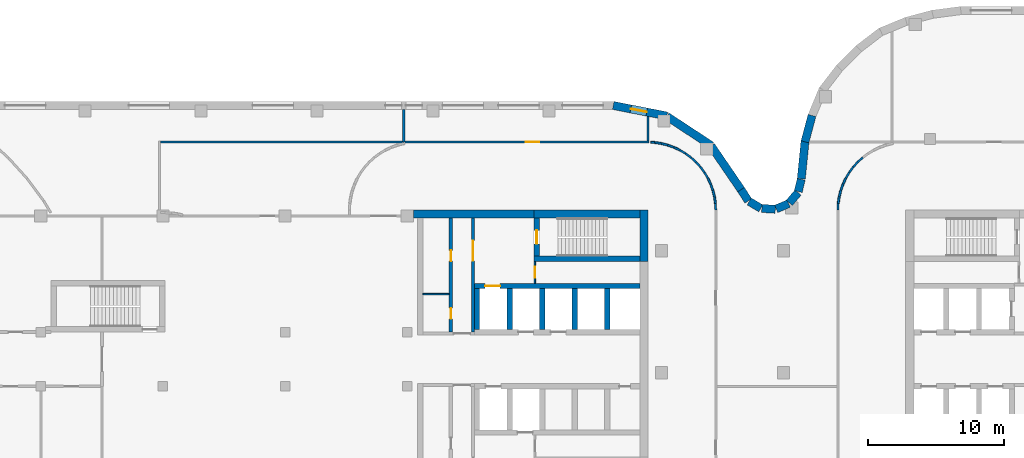
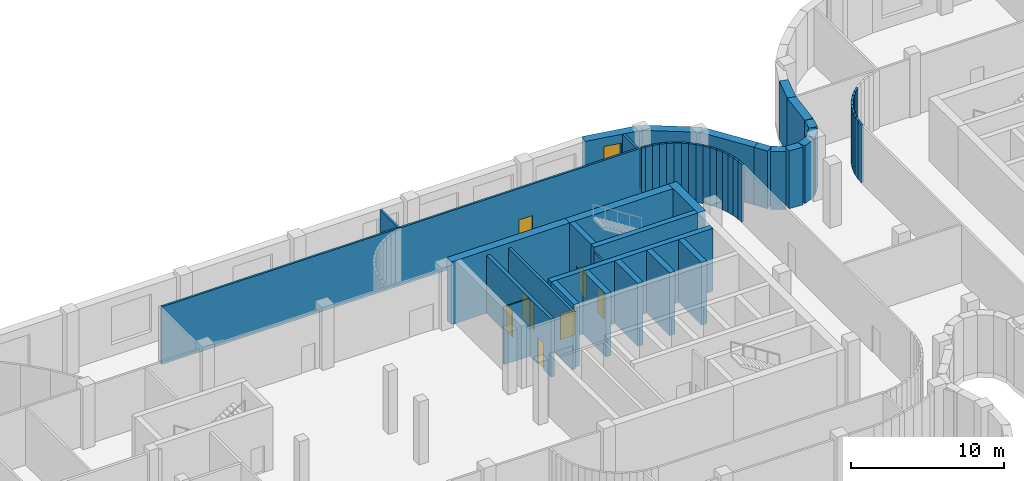
# One storey, part 17 of 24: 54 walls, 7 doors, 1 window, 8 openings.
"""IFC4 building model written with IfcOpenShell, lengths in metres."""

from ifc_helpers import new_model, si_unit, direction, frame, frame_2d, origin, place, context, subcontext, project, spatial, rectangle, extrude, material, layer, layer_set, type_object, element, fill, save


model = new_model("IFC4")

# Units and contexts
model_context = context("Model", 3, precision=1e-05, world=origin(), true_north=direction((0.0, 1.0)))
body_context = subcontext(model_context, "Body", "Model", "MODEL_VIEW")
ifc_project = project(units=[si_unit("LENGTHUNIT", "METRE"), si_unit("AREAUNIT", "SQUARE_METRE"), si_unit("VOLUMEUNIT", "CUBIC_METRE"), si_unit("PLANEANGLEUNIT", "RADIAN"), si_unit("MASSUNIT", "GRAM", prefix="KILO")], contexts=[model_context])

# Site, building, storey
site_placement = place(None, origin())
site = spatial("IfcSite", under=ifc_project, at=site_placement, CompositionType="ELEMENT")
building_placement = place(site_placement, origin())
building = spatial("IfcBuilding", under=site, at=building_placement, Name="Skarvind Civic Tower", CompositionType="ELEMENT")
storey_placement = place(building_placement, frame((0.0, 0.0, 12.5)))
storey = spatial("IfcBuildingStorey", under=building, at=storey_placement, Name="L02", CompositionType="ELEMENT", Elevation=12.5)

# Wall, opening, door
ifc_material_1 = material(Name="Fire-rated masonry partition", Category="masonry")
ifc_layer_1 = layer(ifc_material_1, 0.199951171875)
ifc_layer_set_1 = layer_set([ifc_layer_1], Name="Core enclosure wall 200")
wall_type_1 = type_object("IfcWallType", Name="Core enclosure wall 200", PredefinedType="PARTITIONING", material=ifc_layer_set_1)
wall_1_placement = place(storey_placement, frame((95.10009765625, 130.0, 0.0), z_axis=(0.0, 0.0, 1.0), x_axis=(0.0, 1.0, 0.0)))
wall_1 = element("IfcWall", 1, at=wall_1_placement, inside=storey, type_object=wall_type_1, Name="Core wall C1", PredefinedType="PARTITIONING", context=body_context, shape_type="SweptSolid", body=[
    extrude(rectangle(XDim=8.39990234375, YDim=0.199951171875, at=frame_2d((4.199951171875, 0.0))), origin(), (0.0, 0.0, 1.0), 4.60009765625),
])
opening_1_placement = place(wall_1_placement, frame((5.25, 0.0, 0.0)))
opening_1 = element("IfcOpeningElement", 2, at=opening_1_placement, cuts=wall_1, Name="Opening D-L02-C1-11", PredefinedType="OPENING", context=body_context, shape_type="SweptSolid", body=[
    extrude(rectangle(XDim=1.5, YDim=2.10009765625, at=frame_2d((0.75, 1.050048828125))), frame((0.0, 0.10986328125, 0.0), z_axis=(0.0, -1.0, 0.0), x_axis=(1.0, 0.0, 0.0)), (0.0, 0.0, 1.0), 0.219970703125),
])
ifc_material_2 = material(Name="Fire-rated steel door", Category="steel")
door_type_1 = type_object("IfcDoorType", Name="Fire door 1500", OperationType="NOTDEFINED", PredefinedType="DOOR", material=ifc_material_2)
door_1_placement = place(opening_1_placement, origin())
door_1 = element("IfcDoor", 3, at=door_1_placement, inside=storey, type_object=door_type_1, Name="Fire door", OperationType="DOUBLE_DOOR_SINGLE_SWING", OverallHeight=2.10009765625, OverallWidth=1.5, PredefinedType="DOOR", context=body_context, shape_type="SweptSolid", body=[
    extrude(rectangle(XDim=1.5, YDim=2.10009765625, at=frame_2d((0.75, 1.050048828125))), frame((0.0, 0.02490234375, 0.0), z_axis=(0.0, -1.0, 0.0), x_axis=(1.0, 0.0, 0.0)), (0.0, 0.0, 1.0), 0.050048828125),
])
fill(opening_1, door_1)

# Walls
ifc_material_3 = material(Name="Fire-rated plasterboard partition")
ifc_layer_2 = layer(ifc_material_3, 0.10009765625)
ifc_layer_set_2 = layer_set([ifc_layer_2], Name="Core partition wall 100")
wall_type_2 = type_object("IfcWallType", Name="Core partition wall 100", PredefinedType="PARTITIONING", material=ifc_layer_set_2)
wall_2_placement = place(storey_placement, frame((91.39990234375, 132.800048828125, 0.0), z_axis=(0.0, 0.0, 1.0), x_axis=(1.0, 0.0, 0.0)))
element("IfcWall", 4, at=wall_2_placement, inside=storey, type_object=wall_type_2, Name="Core wall C1", PredefinedType="PARTITIONING", context=body_context, shape_type="SweptSolid", body=[
    extrude(rectangle(XDim=1.9501953125, YDim=0.10009765625, at=frame_2d((0.97509765625, 0.0))), origin(), (0.0, 0.0, 1.0), 4.60009765625),
])
ifc_material_4 = material(Name="Concrete C80", Category="concrete")
ifc_layer_3 = layer(ifc_material_4, 0.39990234375)
ifc_layer_set_3 = layer_set([ifc_layer_3], Name="Core wall 400 C80")
wall_type_3 = type_object("IfcWallType", Name="Core wall 400 C80", PredefinedType="SHEAR", material=ifc_layer_set_3)
wall_3_placement = place(storey_placement, frame((107.39990234375, 135.39990234375, 0.0), z_axis=(0.0, 0.0, 1.0), x_axis=(-1.0, 0.0, 0.0)))
element("IfcWall", 5, at=wall_3_placement, inside=storey, type_object=wall_type_3, Name="Core wall C1 south stair inner L02", PredefinedType="SHEAR", context=body_context, shape_type="SweptSolid", body=[
    extrude(rectangle(XDim=7.7998046875, YDim=0.39990234375, at=frame_2d((3.89990234375, 0.0))), origin(), (0.0, 0.0, 1.0), 5.0),
])

# Wall, opening, door
wall_4_placement = place(storey_placement, frame((99.800048828125, 138.39990234375, 0.0), z_axis=(0.0, 0.0, 1.0), x_axis=(0.0, -1.0, 0.0)))
wall_4 = element("IfcWall", 6, at=wall_4_placement, inside=storey, type_object=wall_type_3, Name="Core wall C1 south stair end L02", PredefinedType="SHEAR", context=body_context, shape_type="SweptSolid", body=[
    extrude(rectangle(XDim=2.7998046875, YDim=0.39990234375, at=frame_2d((1.39990234375, 0.0))), origin(), (0.0, 0.0, 1.0), 5.0),
])
opening_2_placement = place(wall_4_placement, frame((0.89990234375, 0.0, 0.0)))
opening_2 = element("IfcOpeningElement", 7, at=opening_2_placement, cuts=wall_4, Name="Opening D-L02-C1-12", PredefinedType="OPENING", context=body_context, shape_type="SweptSolid", body=[
    extrude(rectangle(XDim=1.0, YDim=2.10009765625, at=frame_2d((0.5, 1.050048828125))), frame((0.0, 0.2099609375, 0.0), z_axis=(0.0, -1.0, 0.0), x_axis=(1.0, 0.0, 0.0)), (0.0, 0.0, 1.0), 0.419921875),
])
door_type_2 = type_object("IfcDoorType", Name="Fire door 1000", OperationType="NOTDEFINED", PredefinedType="DOOR", material=ifc_material_2)
door_2_placement = place(opening_2_placement, origin())
door_2 = element("IfcDoor", 8, at=door_2_placement, inside=storey, type_object=door_type_2, Name="Fire door", OperationType="SINGLE_SWING_RIGHT", OverallHeight=2.10009765625, OverallWidth=1.0, PredefinedType="DOOR", context=body_context, shape_type="SweptSolid", body=[
    extrude(rectangle(XDim=1.0, YDim=2.10009765625, at=frame_2d((0.5, 1.050048828125))), frame((0.0, 0.02490234375, 0.0), z_axis=(0.0, -1.0, 0.0), x_axis=(1.0, 0.0, 0.0)), (0.0, 0.0, 1.0), 0.050048828125),
])
fill(opening_2, door_2)

wall_5_placement = place(storey_placement, frame((107.39990234375, 133.39990234375, 0.0), z_axis=(0.0, 0.0, 1.0), x_axis=(-1.0, 0.0, 0.0)))
wall_5 = element("IfcWall", 9, at=wall_5_placement, inside=storey, type_object=wall_type_3, Name="Core wall C1 south lift row back L02", PredefinedType="SHEAR", context=body_context, shape_type="SweptSolid", body=[
    extrude(rectangle(XDim=12.199951171875, YDim=0.39990234375, at=frame_2d((6.10009765625, 0.0))), origin(), (0.0, 0.0, 1.0), 5.0),
])
opening_3_placement = place(wall_5_placement, frame((10.300048828125, 0.0, 0.0)))
opening_3 = element("IfcOpeningElement", 10, at=opening_3_placement, cuts=wall_5, Name="Opening LD04110", PredefinedType="OPENING", context=body_context, shape_type="SweptSolid", body=[
    extrude(rectangle(XDim=1.10009765625, YDim=2.10009765625, at=frame_2d((0.550048828125, 1.050048828125))), frame((0.0, 0.2099609375, 0.0), z_axis=(0.0, -1.0, 0.0), x_axis=(1.0, 0.0, 0.0)), (0.0, 0.0, 1.0), 0.419921875),
])
ifc_material_5 = material(Name="Stainless steel landing door", Category="steel")
door_type_3 = type_object("IfcDoorType", Name="Lift landing door 1100", OperationType="DOUBLE_DOOR_SLIDING", PredefinedType="DOOR", material=ifc_material_5)
door_3_placement = place(opening_3_placement, origin())
door_3 = element("IfcDoor", 11, at=door_3_placement, inside=storey, type_object=door_type_3, Name="Lift landing door", OperationType="DOUBLE_DOOR_SLIDING", OverallHeight=2.10009765625, OverallWidth=1.10009765625, PredefinedType="DOOR", context=body_context, shape_type="SweptSolid", body=[
    extrude(rectangle(XDim=1.10009765625, YDim=2.10009765625, at=frame_2d((0.550048828125, 1.050048828125))), frame((0.0, 0.02490234375, 0.0), z_axis=(0.0, -1.0, 0.0), x_axis=(1.0, 0.0, 0.0)), (0.0, 0.0, 1.0), 0.050048828125),
])
fill(opening_3, door_3)

# Walls
for number, where, z_axis, x_axis, name in (
    (12, (105.0, 133.199951171875, 0.0), (0.0, 0.0, 1.0), (0.0, -1.0, 0.0), "Core wall C1 south lift row division 1 L02"),
    (13, (102.60009765625, 133.199951171875, 0.0), (0.0, 0.0, 1.0), (0.0, -1.0, 0.0), "Core wall C1 south lift row division 2 L02"),
    (14, (100.199951171875, 133.199951171875, 0.0), (0.0, 0.0, 1.0), (0.0, -1.0, 0.0), "Core wall C1 south lift row division 3 L02"),
    (15, (97.800048828125, 133.199951171875, 0.0), (0.0, 0.0, 1.0), (0.0, -1.0, 0.0), "Core wall C1 south lift row division 4 L02"),
    (16, (95.39990234375, 133.199951171875, 0.0), (0.0, 0.0, 1.0), (0.0, -1.0, 0.0), "Core wall C1 south lift row division 5 L02"),
):
    element("IfcWall", number, at=place(storey_placement, frame(where, z_axis=z_axis, x_axis=x_axis)), inside=storey, type_object=wall_type_3, Name=name, PredefinedType="SHEAR", context=body_context, shape_type="SweptSolid", body=[
        extrude(rectangle(XDim=3.0, YDim=0.39990234375, at=frame_2d((1.5, 0.0))), origin(), (0.0, 0.0, 1.0), 5.0),
    ])
ifc_layer_4 = layer(ifc_material_4, 0.60009765625)
ifc_layer_set_4 = layer_set([ifc_layer_4], Name="Core wall 600 C80")
wall_type_4 = type_object("IfcWallType", Name="Core wall 600 C80", PredefinedType="SHEAR", material=ifc_layer_set_4)
wall_6_placement = place(storey_placement, frame((107.699951171875, 139.0, 0.0), z_axis=(0.0, 0.0, 1.0), x_axis=(0.0, -1.0, 0.0)))
element("IfcWall", 17, at=wall_6_placement, inside=storey, type_object=wall_type_4, Name="Core wall C1 tip at the south stair L02", PredefinedType="SHEAR", context=body_context, shape_type="SweptSolid", body=[
    extrude(rectangle(XDim=3.800048828125, YDim=0.60009765625, at=frame_2d((1.89990234375, 0.0))), origin(), (0.0, 0.0, 1.0), 5.0),
])
wall_7_placement = place(storey_placement, frame((107.39990234375, 138.699951171875, 0.0), z_axis=(0.0, 0.0, 1.0), x_axis=(-1.0, 0.0, 0.0)))
element("IfcWall", 18, at=wall_7_placement, inside=storey, type_object=wall_type_4, Name="Core wall C1 south side at the stair L02", PredefinedType="SHEAR", context=body_context, shape_type="SweptSolid", body=[
    extrude(rectangle(XDim=7.7998046875, YDim=0.60009765625, at=frame_2d((3.89990234375, 0.0))), origin(), (0.0, 0.0, 1.0), 5.0),
])
wall_8_placement = place(storey_placement, frame((99.60009765625, 138.699951171875, 0.0), z_axis=(0.0, 0.0, 1.0), x_axis=(-1.0, 0.0, 0.0)))
element("IfcWall", 19, at=wall_8_placement, inside=storey, type_object=wall_type_4, Name="Core wall C1 south side L02", PredefinedType="SHEAR", context=body_context, shape_type="SweptSolid", body=[
    extrude(rectangle(XDim=8.900146484375, YDim=0.60009765625, at=frame_2d((4.4501953125, 0.0))), origin(), (0.0, 0.0, 1.0), 5.0),
])

# Wall, opening, door
ifc_material_6 = material(Name="Plasterboard partition on steel studs", Category="steel")
ifc_layer_5 = layer(ifc_material_6, 0.14990234375)
ifc_layer_set_5 = layer_set([ifc_layer_5], Name="PARTITION 150")
wall_type_5 = type_object("IfcWallType", Name="PARTITION 150", PredefinedType="PARTITIONING", material=ifc_layer_set_5)
wall_9_placement = place(storey_placement, frame((72.074951171875, 144.0, 0.0), z_axis=(0.0, 0.0, 1.0), x_axis=(1.0, 0.0, 0.0)))
wall_9 = element("IfcWall", 20, at=wall_9_placement, inside=storey, type_object=wall_type_5, Name="Podium partition L02 144", PredefinedType="PARTITIONING", context=body_context, shape_type="SweptSolid", body=[
    extrude(rectangle(XDim=36.0, YDim=0.14990234375, at=frame_2d((18.0, 0.0))), origin(), (0.0, 0.0, 1.0), 4.60009765625),
])
opening_4_placement = place(wall_9_placement, frame((26.925048828125, 0.0, 0.0)))
opening_4 = element("IfcOpeningElement", 21, at=opening_4_placement, cuts=wall_9, Name="Opening L02-D230", PredefinedType="OPENING", context=body_context, shape_type="SweptSolid", body=[
    extrude(rectangle(XDim=1.0, YDim=2.10009765625, at=frame_2d((0.5, 1.050048828125))), frame((0.0, 0.0849609375, 0.0), z_axis=(0.0, -1.0, 0.0), x_axis=(1.0, 0.0, 0.0)), (0.0, 0.0, 1.0), 0.169921875),
])
ifc_material_7 = material(Name="Timber veneer door leaf", Category="wood")
door_type_4 = type_object("IfcDoorType", Name="DOOR 1000X2100 TIMBER", OperationType="NOTDEFINED", PredefinedType="DOOR", material=ifc_material_7)
door_4_placement = place(opening_4_placement, origin())
door_4 = element("IfcDoor", 22, at=door_4_placement, inside=storey, type_object=door_type_4, Name="DOOR DOOR", OperationType="SINGLE_SWING_LEFT", OverallHeight=2.10009765625, OverallWidth=1.0, PredefinedType="DOOR", context=body_context, shape_type="SweptSolid", body=[
    extrude(rectangle(XDim=1.0, YDim=2.10009765625, at=frame_2d((0.5, 1.050048828125))), frame((0.0, 0.02490234375, 0.0), z_axis=(0.0, -1.0, 0.0), x_axis=(1.0, 0.0, 0.0)), (0.0, 0.0, 1.0), 0.050048828125),
])
fill(opening_4, door_4)

# Walls
wall_10_placement = place(storey_placement, frame((90.0, 143.9951171875, 0.0), z_axis=(0.0, 0.0, 1.0), x_axis=(0.0, 1.0, 0.0)))
element("IfcWall", 23, at=wall_10_placement, inside=storey, type_object=wall_type_5, Name="Podium partition L02 180", PredefinedType="PARTITIONING", context=body_context, shape_type="SweptSolid", body=[
    extrude(rectangle(XDim=2.40478515625, YDim=0.14990234375, at=frame_2d((1.202392578125, 0.0))), origin(), (0.0, 0.0, 1.0), 4.60009765625),
])
wall_11_placement = place(storey_placement, frame((108.0, 144.074951171875, 0.0), z_axis=(0.0, 0.0, 1.0), x_axis=(0.0, 1.0, 0.0)))
element("IfcWall", 24, at=wall_11_placement, inside=storey, type_object=wall_type_5, Name="Podium partition L02 191", PredefinedType="PARTITIONING", context=body_context, shape_type="SweptSolid", body=[
    extrude(rectangle(XDim=1.822998046875, YDim=0.14990234375, at=frame_2d((0.91162109375, 0.0))), origin(), (0.0, 0.0, 1.0), 4.60009765625),
])
wall_12_placement = place(storey_placement, frame((108.214111328125, 143.989990234375, 0.0), z_axis=(0.0, 0.0, 1.0), x_axis=(0.99876534507, -0.049676810357, 0.0)))
element("IfcWall", 25, at=wall_12_placement, inside=storey, type_object=wall_type_5, Name="Podium partition L02 192", PredefinedType="PARTITIONING", context=body_context, shape_type="SweptSolid", body=[
    extrude(rectangle(XDim=0.280029296875, YDim=0.14990234375, at=frame_2d((0.14013671875, 0.0))), origin(), (0.0, 0.0, 1.0), 4.60009765625),
])
wall_13_placement = place(storey_placement, frame((108.486083984375, 143.97705078125, 0.0), z_axis=(0.0, 0.0, 1.0), x_axis=(0.988925572052, -0.148412307247, 0.0)))
element("IfcWall", 26, at=wall_13_placement, inside=storey, type_object=wall_type_5, Name="Podium partition L02 194", PredefinedType="PARTITIONING", context=body_context, shape_type="SweptSolid", body=[
    extrude(rectangle(XDim=0.49853515625, YDim=0.14990234375, at=frame_2d((0.249267578125, 0.0))), origin(), (0.0, 0.0, 1.0), 4.60009765625),
])
wall_14_placement = place(storey_placement, frame((108.970947265625, 143.905029296875, 0.0), z_axis=(0.0, 0.0, 1.0), x_axis=(0.970113715952, -0.242650732785, 0.0)))
element("IfcWall", 27, at=wall_14_placement, inside=storey, type_object=wall_type_5, Name="Podium partition L02 197", PredefinedType="PARTITIONING", context=body_context, shape_type="SweptSolid", body=[
    extrude(rectangle(XDim=0.4990234375, YDim=0.14990234375, at=frame_2d((0.24951171875, 0.0))), origin(), (0.0, 0.0, 1.0), 4.60009765625),
])
for number, where, z_axis, x_axis, name in (
    (28, (109.447021484375, 143.785888671875, 0.0), (0.0, 0.0, 1.0), (0.941442168887, -0.3371744988, 0.0), "Podium partition L02 199"),
    (29, (109.909912109375, 143.62109375, 0.0), (0.0, 0.0, 1.0), (0.903827641978, -0.427896709028, 0.0), "Podium partition L02 202"),
):
    element("IfcWall", number, at=place(storey_placement, frame(where, z_axis=z_axis, x_axis=x_axis)), inside=storey, type_object=wall_type_5, Name=name, PredefinedType="PARTITIONING", context=body_context, shape_type="SweptSolid", body=[
        extrude(rectangle(XDim=0.498046875, YDim=0.14990234375, at=frame_2d((0.2490234375, 0.0))), origin(), (0.0, 0.0, 1.0), 4.60009765625),
    ])
wall_15_placement = place(storey_placement, frame((110.35400390625, 143.412109375, 0.0), z_axis=(0.0, 0.0, 1.0), x_axis=(0.85671397893, -0.515791778052, 0.0)))
element("IfcWall", 30, at=wall_15_placement, inside=storey, type_object=wall_type_5, Name="Podium partition L02 204", PredefinedType="PARTITIONING", context=body_context, shape_type="SweptSolid", body=[
    extrude(rectangle(XDim=0.49853515625, YDim=0.14990234375, at=frame_2d((0.249267578125, 0.0))), origin(), (0.0, 0.0, 1.0), 4.60009765625),
])
wall_16_placement = place(storey_placement, frame((110.77490234375, 143.158935546875, 0.0), z_axis=(0.0, 0.0, 1.0), x_axis=(0.80404358372, -0.594570362092, 0.0)))
element("IfcWall", 31, at=wall_16_placement, inside=storey, type_object=wall_type_5, Name="Podium partition L02 207", PredefinedType="PARTITIONING", context=body_context, shape_type="SweptSolid", body=[
    extrude(rectangle(XDim=0.49755859375, YDim=0.14990234375, at=frame_2d((0.248779296875, 0.0))), origin(), (0.0, 0.0, 1.0), 4.60009765625),
])
for number, where, z_axis, x_axis, name in (
    (32, (111.1689453125, 142.866943359375, 0.0), (0.0, 0.0, 1.0), (0.742416880587, -0.66993818776, 0.0), "Podium partition L02 210"),
    (33, (111.532958984375, 142.5390625, 0.0), (0.0, 0.0, 1.0), (0.66993818776, -0.742416880587, 0.0), "Podium partition L02 213"),
):
    element("IfcWall", number, at=place(storey_placement, frame(where, z_axis=z_axis, x_axis=x_axis)), inside=storey, type_object=wall_type_5, Name=name, PredefinedType="PARTITIONING", context=body_context, shape_type="SweptSolid", body=[
        extrude(rectangle(XDim=0.49853515625, YDim=0.14990234375, at=frame_2d((0.249267578125, 0.0))), origin(), (0.0, 0.0, 1.0), 4.60009765625),
    ])
wall_17_placement = place(storey_placement, frame((111.863037109375, 142.175048828125, 0.0), z_axis=(0.0, 0.0, 1.0), x_axis=(0.594570362092, -0.80404358372, 0.0)))
element("IfcWall", 34, at=wall_17_placement, inside=storey, type_object=wall_type_5, Name="Podium partition L02 215", PredefinedType="PARTITIONING", context=body_context, shape_type="SweptSolid", body=[
    extrude(rectangle(XDim=0.49755859375, YDim=0.14990234375, at=frame_2d((0.248779296875, 0.0))), origin(), (0.0, 0.0, 1.0), 4.60009765625),
])
wall_18_placement = place(storey_placement, frame((112.155029296875, 141.781005859375, 0.0), z_axis=(0.0, 0.0, 1.0), x_axis=(0.515791778052, -0.85671397893, 0.0)))
element("IfcWall", 35, at=wall_18_placement, inside=storey, type_object=wall_type_5, Name="Podium partition L02 217", PredefinedType="PARTITIONING", context=body_context, shape_type="SweptSolid", body=[
    extrude(rectangle(XDim=0.49853515625, YDim=0.14990234375, at=frame_2d((0.249267578125, 0.0))), origin(), (0.0, 0.0, 1.0), 4.60009765625),
])
for number, where, z_axis, x_axis, name in (
    (36, (112.407958984375, 141.360107421875, 0.0), (0.0, 0.0, 1.0), (0.427896709028, -0.903827641978, 0.0), "Podium partition L02 219"),
    (37, (112.617919921875, 140.916015625, 0.0), (0.0, 0.0, 1.0), (0.3371744988, -0.941442168887, 0.0), "Podium partition L02 221"),
):
    element("IfcWall", number, at=place(storey_placement, frame(where, z_axis=z_axis, x_axis=x_axis)), inside=storey, type_object=wall_type_5, Name=name, PredefinedType="PARTITIONING", context=body_context, shape_type="SweptSolid", body=[
        extrude(rectangle(XDim=0.498046875, YDim=0.14990234375, at=frame_2d((0.2490234375, 0.0))), origin(), (0.0, 0.0, 1.0), 4.60009765625),
    ])
wall_19_placement = place(storey_placement, frame((112.783935546875, 140.455078125, 0.0), z_axis=(0.0, 0.0, 1.0), x_axis=(0.242650732785, -0.970113715952, 0.0)))
element("IfcWall", 38, at=wall_19_placement, inside=storey, type_object=wall_type_5, Name="Podium partition L02 223", PredefinedType="PARTITIONING", context=body_context, shape_type="SweptSolid", body=[
    extrude(rectangle(XDim=0.4990234375, YDim=0.14990234375, at=frame_2d((0.24951171875, 0.0))), origin(), (0.0, 0.0, 1.0), 4.60009765625),
])
wall_20_placement = place(storey_placement, frame((112.903076171875, 139.97900390625, 0.0), z_axis=(0.0, 0.0, 1.0), x_axis=(0.148412307247, -0.988925572052, 0.0)))
element("IfcWall", 39, at=wall_20_placement, inside=storey, type_object=wall_type_5, Name="Podium partition L02 225", PredefinedType="PARTITIONING", context=body_context, shape_type="SweptSolid", body=[
    extrude(rectangle(XDim=0.49853515625, YDim=0.14990234375, at=frame_2d((0.249267578125, 0.0))), origin(), (0.0, 0.0, 1.0), 4.60009765625),
])
for number, where, z_axis, x_axis, name in (
    (40, (112.97607421875, 139.493896484375, 0.0), (0.0, 0.0, 1.0), (0.048196018647, -0.998837896651, 0.0), "Podium partition L02 227"),
    (41, (122.0, 138.998046875, 0.0), (0.0, 0.0, 1.0), (0.048196018647, 0.998837896651, 0.0), "Podium partition L02 234"),
):
    element("IfcWall", number, at=place(storey_placement, frame(where, z_axis=z_axis, x_axis=x_axis)), inside=storey, type_object=wall_type_5, Name=name, PredefinedType="PARTITIONING", context=body_context, shape_type="SweptSolid", body=[
        extrude(rectangle(XDim=0.496337890625, YDim=0.14990234375, at=frame_2d((0.248046875, 0.0))), origin(), (0.0, 0.0, 1.0), 4.60009765625),
    ])
wall_21_placement = place(storey_placement, frame((122.02294921875, 139.486083984375, 0.0), z_axis=(0.0, 0.0, 1.0), x_axis=(0.148412307247, 0.988925572052, 0.0)))
element("IfcWall", 42, at=wall_21_placement, inside=storey, type_object=wall_type_5, Name="Podium partition L02 236", PredefinedType="PARTITIONING", context=body_context, shape_type="SweptSolid", body=[
    extrude(rectangle(XDim=0.49853515625, YDim=0.14990234375, at=frame_2d((0.249267578125, 0.0))), origin(), (0.0, 0.0, 1.0), 4.60009765625),
])
wall_22_placement = place(storey_placement, frame((122.094970703125, 139.970947265625, 0.0), z_axis=(0.0, 0.0, 1.0), x_axis=(0.242650732785, 0.970113715952, 0.0)))
element("IfcWall", 43, at=wall_22_placement, inside=storey, type_object=wall_type_5, Name="Podium partition L02 238", PredefinedType="PARTITIONING", context=body_context, shape_type="SweptSolid", body=[
    extrude(rectangle(XDim=0.4990234375, YDim=0.14990234375, at=frame_2d((0.24951171875, 0.0))), origin(), (0.0, 0.0, 1.0), 4.60009765625),
])
for number, where, z_axis, x_axis, name in (
    (44, (122.214111328125, 140.447021484375, 0.0), (0.0, 0.0, 1.0), (0.3371744988, 0.941442168887, 0.0), "Podium partition L02 240"),
    (45, (122.37890625, 140.909912109375, 0.0), (0.0, 0.0, 1.0), (0.427896709028, 0.903827641978, 0.0), "Podium partition L02 242"),
):
    element("IfcWall", number, at=place(storey_placement, frame(where, z_axis=z_axis, x_axis=x_axis)), inside=storey, type_object=wall_type_5, Name=name, PredefinedType="PARTITIONING", context=body_context, shape_type="SweptSolid", body=[
        extrude(rectangle(XDim=0.498046875, YDim=0.14990234375, at=frame_2d((0.2490234375, 0.0))), origin(), (0.0, 0.0, 1.0), 4.60009765625),
    ])
wall_23_placement = place(storey_placement, frame((122.587890625, 141.35400390625, 0.0), z_axis=(0.0, 0.0, 1.0), x_axis=(0.515791778052, 0.85671397893, 0.0)))
element("IfcWall", 46, at=wall_23_placement, inside=storey, type_object=wall_type_5, Name="Podium partition L02 244", PredefinedType="PARTITIONING", context=body_context, shape_type="SweptSolid", body=[
    extrude(rectangle(XDim=0.49853515625, YDim=0.14990234375, at=frame_2d((0.249267578125, 0.0))), origin(), (0.0, 0.0, 1.0), 4.60009765625),
])
wall_24_placement = place(storey_placement, frame((122.841064453125, 141.77490234375, 0.0), z_axis=(0.0, 0.0, 1.0), x_axis=(0.594570362092, 0.80404358372, 0.0)))
element("IfcWall", 47, at=wall_24_placement, inside=storey, type_object=wall_type_5, Name="Podium partition L02 246", PredefinedType="PARTITIONING", context=body_context, shape_type="SweptSolid", body=[
    extrude(rectangle(XDim=0.49755859375, YDim=0.14990234375, at=frame_2d((0.248779296875, 0.0))), origin(), (0.0, 0.0, 1.0), 4.60009765625),
])
for number, where, z_axis, x_axis, name in (
    (48, (123.133056640625, 142.1689453125, 0.0), (0.0, 0.0, 1.0), (0.66993818776, 0.742416880587, 0.0), "Podium partition L02 248"),
    (49, (123.4609375, 142.532958984375, 0.0), (0.0, 0.0, 1.0), (0.742416880587, 0.66993818776, 0.0), "Podium partition L02 250"),
):
    element("IfcWall", number, at=place(storey_placement, frame(where, z_axis=z_axis, x_axis=x_axis)), inside=storey, type_object=wall_type_5, Name=name, PredefinedType="PARTITIONING", context=body_context, shape_type="SweptSolid", body=[
        extrude(rectangle(XDim=0.49853515625, YDim=0.14990234375, at=frame_2d((0.249267578125, 0.0))), origin(), (0.0, 0.0, 1.0), 4.60009765625),
    ])

# Wall, opening, door
ifc_layer_6 = layer(ifc_material_1, 0.125)
ifc_layer_set_6 = layer_set([ifc_layer_6], Name="Riser wall 125")
wall_type_6 = type_object("IfcWallType", Name="Riser wall 125", PredefinedType="PARTITIONING", material=ifc_layer_set_6)
wall_25_placement = place(storey_placement, frame((99.66259765625, 133.60009765625, 0.0), z_axis=(0.0, 0.0, 1.0), x_axis=(0.0, 1.0, 0.0)))
wall_25 = element("IfcWall", 50, at=wall_25_placement, inside=storey, type_object=wall_type_6, Name="Core wall C1", PredefinedType="PARTITIONING", context=body_context, shape_type="SweptSolid", body=[
    extrude(rectangle(XDim=1.599853515625, YDim=0.125, at=frame_2d((0.7998046875, 0.0))), origin(), (0.0, 0.0, 1.0), 4.60009765625),
])
opening_5_placement = place(wall_25_placement, frame((0.39990234375, 0.0, 0.0)))
opening_5 = element("IfcOpeningElement", 51, at=opening_5_placement, cuts=wall_25, Name="Opening D-L02-C1-13", PredefinedType="OPENING", context=body_context, shape_type="SweptSolid", body=[
    extrude(rectangle(XDim=0.800048828125, YDim=2.10009765625, at=frame_2d((0.39990234375, 1.050048828125))), frame((0.0, 0.072509765625, 0.0), z_axis=(0.0, -1.0, 0.0), x_axis=(1.0, 0.0, 0.0)), (0.0, 0.0, 1.0), 0.14501953125),
])
door_type_5 = type_object("IfcDoorType", Name="Core riser door 800", OperationType="NOTDEFINED", PredefinedType="DOOR", material=ifc_material_2)
door_5_placement = place(opening_5_placement, origin())
door_5 = element("IfcDoor", 52, at=door_5_placement, inside=storey, type_object=door_type_5, Name="Riser door", OperationType="SINGLE_SWING_LEFT", OverallHeight=2.10009765625, OverallWidth=0.800048828125, PredefinedType="DOOR", context=body_context, shape_type="SweptSolid", body=[
    extrude(rectangle(XDim=0.800048828125, YDim=2.10009765625, at=frame_2d((0.39990234375, 1.050048828125))), frame((0.0, 0.02490234375, 0.0), z_axis=(0.0, -1.0, 0.0), x_axis=(1.0, 0.0, 0.0)), (0.0, 0.0, 1.0), 0.050048828125),
])
fill(opening_5, door_5)

# Wall, openings, doors
ifc_layer_7 = layer(ifc_material_1, 0.25)
ifc_layer_set_7 = layer_set([ifc_layer_7], Name="Service block wall 250")
wall_type_7 = type_object("IfcWallType", Name="Service block wall 250", PredefinedType="PARTITIONING", material=ifc_layer_set_7)
wall_26_placement = place(storey_placement, frame((93.47509765625, 130.0, 0.0), z_axis=(0.0, 0.0, 1.0), x_axis=(0.0, 1.0, 0.0)))
wall_26 = element("IfcWall", 53, at=wall_26_placement, inside=storey, type_object=wall_type_7, Name="Core wall C1", PredefinedType="PARTITIONING", context=body_context, shape_type="SweptSolid", body=[
    extrude(rectangle(XDim=8.39990234375, YDim=0.25, at=frame_2d((4.199951171875, 0.0))), origin(), (0.0, 0.0, 1.0), 4.60009765625),
])
opening_6_placement = place(wall_26_placement, frame((0.97509765625, 0.0, 0.0)))
opening_6 = element("IfcOpeningElement", 54, at=opening_6_placement, cuts=wall_26, Name="Opening D-L02-C1-14", PredefinedType="OPENING", context=body_context, shape_type="SweptSolid", body=[
    extrude(rectangle(XDim=0.800048828125, YDim=2.10009765625, at=frame_2d((0.39990234375, 1.050048828125))), frame((0.0, 0.135009765625, 0.0), z_axis=(0.0, -1.0, 0.0), x_axis=(1.0, 0.0, 0.0)), (0.0, 0.0, 1.0), 0.27001953125),
])
opening_7_placement = place(wall_26_placement, frame((5.22509765625, 0.0, 0.0)))
opening_7 = element("IfcOpeningElement", 55, at=opening_7_placement, cuts=wall_26, Name="Opening D-L02-C1-15", PredefinedType="OPENING", context=body_context, shape_type="SweptSolid", body=[
    extrude(rectangle(XDim=0.800048828125, YDim=2.10009765625, at=frame_2d((0.39990234375, 1.050048828125))), frame((0.0, 0.135009765625, 0.0), z_axis=(0.0, -1.0, 0.0), x_axis=(1.0, 0.0, 0.0)), (0.0, 0.0, 1.0), 0.27001953125),
])
door_6_placement = place(opening_6_placement, origin())
door_6 = element("IfcDoor", 56, at=door_6_placement, inside=storey, type_object=door_type_5, Name="Riser door", OperationType="SINGLE_SWING_RIGHT", OverallHeight=2.10009765625, OverallWidth=0.800048828125, PredefinedType="DOOR", context=body_context, shape_type="SweptSolid", body=[
    extrude(rectangle(XDim=0.800048828125, YDim=2.10009765625, at=frame_2d((0.39990234375, 1.050048828125))), frame((0.0, 0.02490234375, 0.0), z_axis=(0.0, -1.0, 0.0), x_axis=(1.0, 0.0, 0.0)), (0.0, 0.0, 1.0), 0.050048828125),
])
fill(opening_6, door_6)
door_7_placement = place(opening_7_placement, origin())
door_7 = element("IfcDoor", 57, at=door_7_placement, inside=storey, type_object=door_type_5, Name="Riser door", OperationType="SINGLE_SWING_LEFT", OverallHeight=2.10009765625, OverallWidth=0.800048828125, PredefinedType="DOOR", context=body_context, shape_type="SweptSolid", body=[
    extrude(rectangle(XDim=0.800048828125, YDim=2.10009765625, at=frame_2d((0.39990234375, 1.050048828125))), frame((0.0, 0.02490234375, 0.0), z_axis=(0.0, -1.0, 0.0), x_axis=(1.0, 0.0, 0.0)), (0.0, 0.0, 1.0), 0.050048828125),
])
fill(opening_7, door_7)

# Walls
ifc_material_8 = material(Name="Limestone masonry cladding on insulated backing", Category="masonry")
ifc_layer_8 = layer(ifc_material_8, 0.60009765625)
ifc_layer_set_8 = layer_set([ifc_layer_8], Name="WX1 STONE FACADE WALL 600")
wall_type_8 = type_object("IfcWallType", Name="WX1 STONE FACADE WALL 600", PredefinedType="SOLIDWALL", material=ifc_layer_set_8)
wall_27_placement = place(storey_placement, frame((119.570556640625, 144.023681640625, 0.0), z_axis=(0.0, 0.0, 1.0), x_axis=(0.25888565912, 0.965907974655, 0.0)))
element("IfcWall", 58, at=wall_27_placement, inside=storey, type_object=wall_type_8, Name="STONE FACADE WALL", PredefinedType="SOLIDWALL", context=body_context, shape_type="SweptSolid", body=[
    extrude(rectangle(XDim=2.012451171875, YDim=0.60009765625, at=frame_2d((1.00634765625, 0.0))), origin(), (0.0, 0.0, 1.0), 4.60009765625),
])
wall_28_placement = place(storey_placement, frame((119.298583984375, 141.298095703125, 0.0), z_axis=(0.0, 0.0, 1.0), x_axis=(0.100121632527, 0.994975205068, 0.0)))
element("IfcWall", 59, at=wall_28_placement, inside=storey, type_object=wall_type_8, Name="STONE FACADE WALL", PredefinedType="SOLIDWALL", context=body_context, shape_type="SweptSolid", body=[
    extrude(rectangle(XDim=2.77734375, YDim=0.60009765625, at=frame_2d((1.388671875, 0.0))), origin(), (0.0, 0.0, 1.0), 4.60009765625),
])
wall_29_placement = place(storey_placement, frame((119.077392578125, 140.35791015625, 0.0), z_axis=(0.0, 0.0, 1.0), x_axis=(0.231477954295, 0.972840149601, 0.0)))
element("IfcWall", 60, at=wall_29_placement, inside=storey, type_object=wall_type_8, Name="STONE FACADE WALL", PredefinedType="SOLIDWALL", context=body_context, shape_type="SweptSolid", body=[
    extrude(rectangle(XDim=0.926025390625, YDim=0.60009765625, at=frame_2d((0.462890625, 0.0))), origin(), (0.0, 0.0, 1.0), 4.60009765625),
])
for number, where, z_axis, x_axis, name in (
    (61, (118.41748046875, 139.526123046875, 0.0), (0.0, 0.0, 1.0), (0.644897785416, 0.764268831215, 0.0), "STONE FACADE WALL"),
    (62, (117.45361328125, 139.080810546875, 0.0), (0.0, 0.0, 1.0), (0.920017434001, 0.391877431265, 0.0), "STONE FACADE WALL"),
    (63, (116.392578125, 139.1171875, 0.0), (0.0, 0.0, 1.0), (0.997920735219, -0.064453131965, 0.0), "STONE FACADE WALL"),
    (64, (115.46142578125, 139.62744140625, 0.0), (0.0, 0.0, 1.0), (0.861915314468, -0.507052256365, 0.0), "STONE FACADE WALL"),
):
    element("IfcWall", number, at=place(storey_placement, frame(where, z_axis=z_axis, x_axis=x_axis)), inside=storey, type_object=wall_type_8, Name=name, PredefinedType="SOLIDWALL", context=body_context, shape_type="SweptSolid", body=[
        extrude(rectangle(XDim=0.99609375, YDim=0.60009765625, at=frame_2d((0.498046875, 0.0))), origin(), (0.0, 0.0, 1.0), 4.60009765625),
    ])
wall_30_placement = place(storey_placement, frame((114.860107421875, 140.50244140625, 0.0), z_axis=(0.0, 0.0, 1.0), x_axis=(0.541339592117, -0.84080404733, 0.0)))
element("IfcWall", 65, at=wall_30_placement, inside=storey, type_object=wall_type_8, Name="STONE FACADE WALL", PredefinedType="SOLIDWALL", context=body_context, shape_type="SweptSolid", body=[
    extrude(rectangle(XDim=0.996337890625, YDim=0.60009765625, at=frame_2d((0.498046875, 0.0))), origin(), (0.0, 0.0, 1.0), 4.60009765625),
])
wall_31_placement = place(storey_placement, frame((112.660888671875, 143.7197265625, 0.0), z_axis=(0.0, 0.0, 1.0), x_axis=(0.564314082571, -0.825560183277, 0.0)))
element("IfcWall", 66, at=wall_31_placement, inside=storey, type_object=wall_type_8, Name="STONE FACADE WALL", PredefinedType="SOLIDWALL", context=body_context, shape_type="SweptSolid", body=[
    extrude(rectangle(XDim=3.9052734375, YDim=0.60009765625, at=frame_2d((1.95263671875, 0.0))), origin(), (0.0, 0.0, 1.0), 4.60009765625),
])
wall_32_placement = place(storey_placement, frame((109.4013671875, 145.899658203125, 0.0), z_axis=(0.0, 0.0, 1.0), x_axis=(0.835543958523, -0.549423601037, 0.0)))
element("IfcWall", 67, at=wall_32_placement, inside=storey, type_object=wall_type_8, Name="STONE FACADE WALL", PredefinedType="SOLIDWALL", context=body_context, shape_type="SweptSolid", body=[
    extrude(rectangle(XDim=3.905517578125, YDim=0.60009765625, at=frame_2d((1.95263671875, 0.0))), origin(), (0.0, 0.0, 1.0), 4.60009765625),
])

# Wall, opening, window
wall_33_placement = place(storey_placement, frame((105.4404296875, 146.70166015625, 0.0), z_axis=(0.0, 0.0, 1.0), x_axis=(0.981593603981, -0.190981665674, 0.0)))
wall_33 = element("IfcWall", 68, at=wall_33_placement, inside=storey, type_object=wall_type_8, Name="STONE FACADE WALL", PredefinedType="SOLIDWALL", context=body_context, shape_type="SweptSolid", body=[
    extrude(rectangle(XDim=4.025390625, YDim=0.60009765625, at=frame_2d((2.0126953125, 0.0))), origin(), (0.0, 0.0, 1.0), 4.60009765625),
])
opening_8_placement = place(wall_33_placement, frame((1.31591796875, 0.0, 0.89990234375)))
opening_8 = element("IfcOpeningElement", 69, at=opening_8_placement, cuts=wall_33, Name="Opening WN6", PredefinedType="OPENING", context=body_context, shape_type="SweptSolid", body=[
    extrude(rectangle(XDim=1.199951171875, YDim=3.0, at=frame_2d((0.60009765625, 1.5))), frame((0.0, 0.31005859375, 0.0), z_axis=(0.0, -1.0, 0.0), x_axis=(1.0, 0.0, 0.0)), (0.0, 0.0, 1.0), 0.6201171875),
])
ifc_material_9 = material(Name="Timber frame, double glazing, timber-lined reveal", Category="wood")
window_type = type_object("IfcWindowType", Name="WN6 NARROW PODIUM WINDOW 1200 x 3000", PartitioningType="SINGLE_PANEL", PredefinedType="WINDOW", material=ifc_material_9)
window_placement = place(opening_8_placement, origin())
window = element("IfcWindow", 70, at=window_placement, inside=storey, type_object=window_type, Name="WN6 WINDOW", OverallHeight=3.0, OverallWidth=1.199951171875, PartitioningType="SINGLE_PANEL", PredefinedType="WINDOW", context=body_context, shape_type="SweptSolid", body=[
    extrude(rectangle(XDim=1.199951171875, YDim=3.0, at=frame_2d((0.60009765625, 1.5))), frame((0.0, 0.030029296875, 0.0), z_axis=(0.0, -1.0, 0.0), x_axis=(1.0, 0.0, 0.0)), (0.0, 0.0, 1.0), 0.06005859375),
])
fill(opening_8, window)

save(model, "model.ifc")
